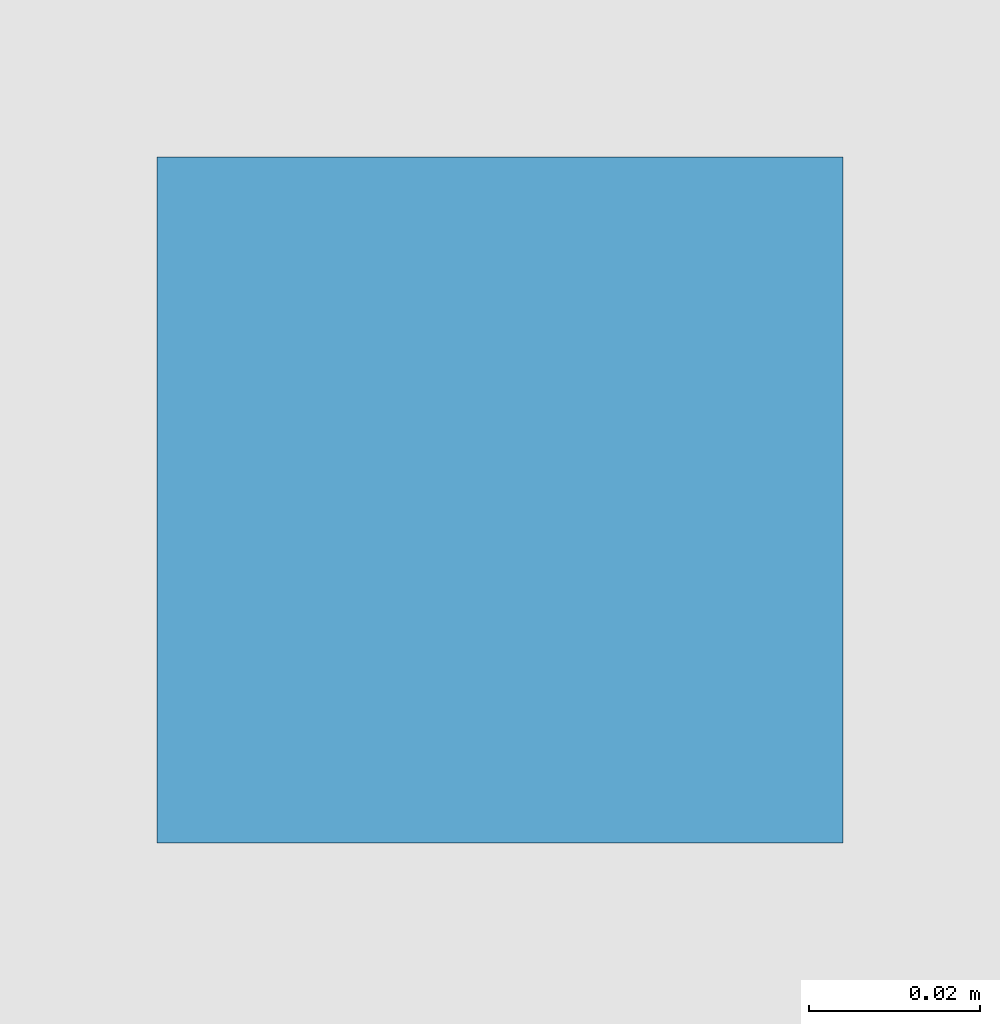
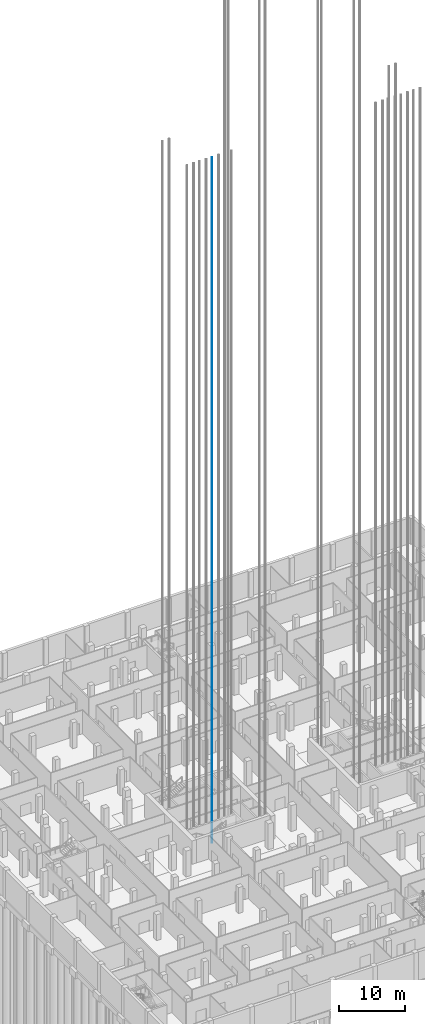
# One storey, part 30 of 54: 1 discrete accessory.
"""IFC4 building model written with IfcOpenShell, lengths in metres."""

from ifc_helpers import new_model, si_unit, direction, frame, origin, origin_2d, place, context, subcontext, project, spatial, rectangle, extrude, material, element, save


model = new_model("IFC4")

# Units and contexts
model_context = context("Model", 3, precision=1e-05, world=origin(), true_north=direction((0.0, 1.0)))
body_context = subcontext(model_context, "Body", "Model", "MODEL_VIEW")
ifc_project = project(units=[si_unit("LENGTHUNIT", "METRE"), si_unit("AREAUNIT", "SQUARE_METRE"), si_unit("VOLUMEUNIT", "CUBIC_METRE"), si_unit("PLANEANGLEUNIT", "RADIAN"), si_unit("MASSUNIT", "GRAM", prefix="KILO")], contexts=[model_context])

# Site, building, storey
site_placement = place(None, origin())
site = spatial("IfcSite", under=ifc_project, at=site_placement, CompositionType="ELEMENT")
building_placement = place(site_placement, origin())
building = spatial("IfcBuilding", under=site, at=building_placement, Name="Fustian Cross Tower", CompositionType="ELEMENT")
storey_placement = place(building_placement, frame((0.0, 0.0, -4.800048828125)))
storey = spatial("IfcBuildingStorey", under=building, at=storey_placement, Name="B1", CompositionType="ELEMENT", Elevation=-4.800048828125)

# Discrete accessory
ifc_material = material(Name="Steel S355", Category="steel")
discrete_accessory_placement = place(storey_placement, frame((-16.074951171875, -3.7099609375, 0.0), z_axis=(0.0, 0.0, 1.0), x_axis=(1.0, 0.0, 0.0)))
element("IfcDiscreteAccessory", 1, at=discrete_accessory_placement, inside=storey, material=ifc_material, Name="Lift guide rail LR2W 1", PredefinedType="NOTDEFINED", context=body_context, shape_type="SweptSolid", body=[
    extrude(rectangle(XDim=0.080078125, YDim=0.080078125, at=origin_2d()), origin(), (0.0, 0.0, 1.0), 127.14990234375),
])

save(model, "model.ifc")
